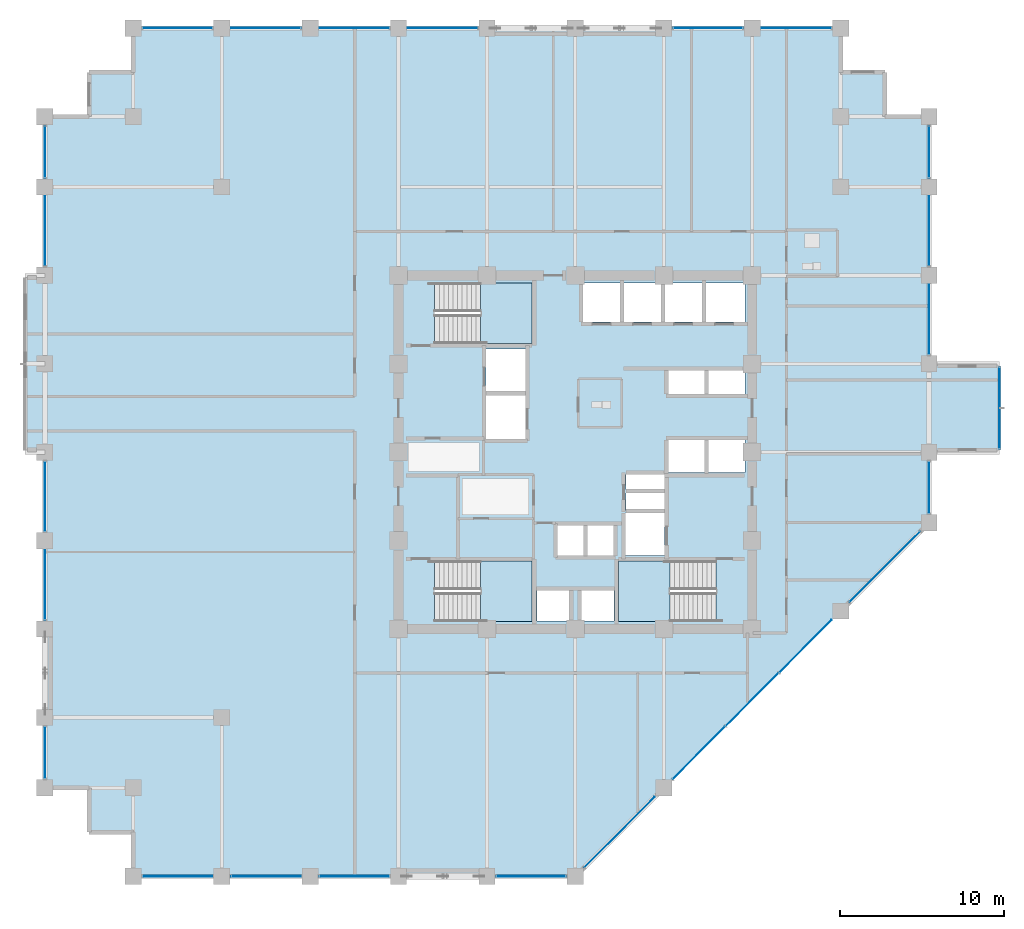
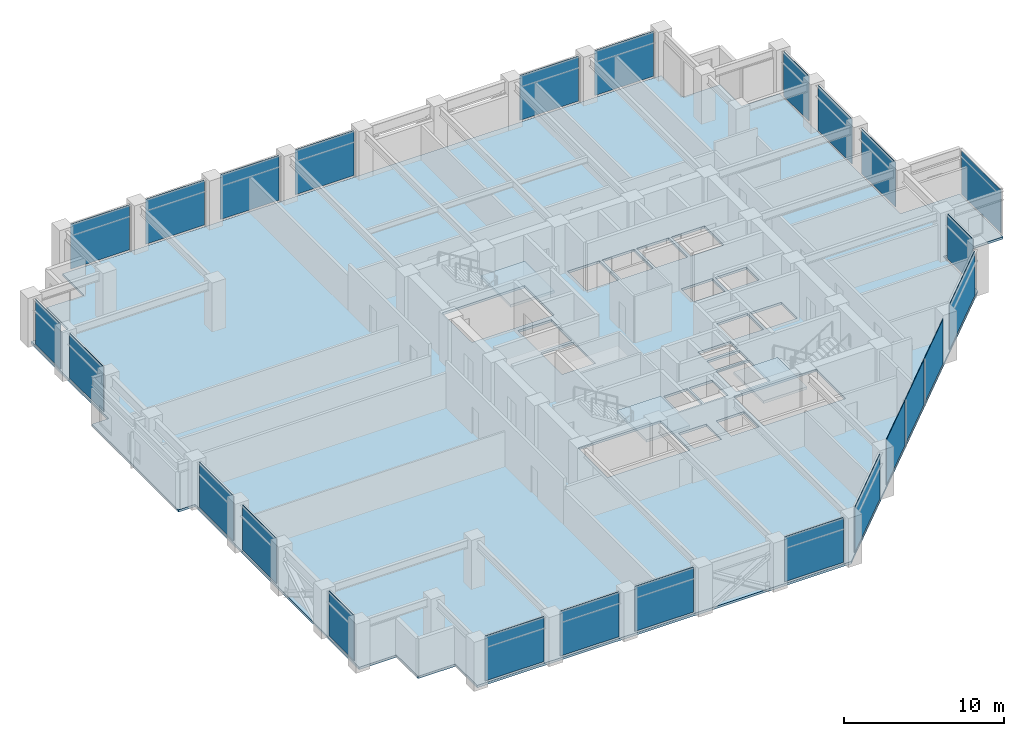
# One storey, part 18 of 26: 25 plates, 4 slabs, 14 elements without a shape of their own.
"""IFC4 building model written with IfcOpenShell, lengths in metres."""

from ifc_helpers import new_model, si_unit, direction, frame, frame_2d, origin, place, context, subcontext, project, spatial, polyline, rectangle, outline, extrude, material, layer, layer_set, type_object, element, aggregate, save


model = new_model("IFC4")

# Units and contexts
model_context = context("Model", 3, precision=1e-05, world=origin(), true_north=direction((0.0, 1.0)))
body_context = subcontext(model_context, "Body", "Model", "MODEL_VIEW")
ifc_project = project(units=[si_unit("LENGTHUNIT", "METRE"), si_unit("AREAUNIT", "SQUARE_METRE"), si_unit("VOLUMEUNIT", "CUBIC_METRE"), si_unit("PLANEANGLEUNIT", "RADIAN"), si_unit("MASSUNIT", "GRAM", prefix="KILO")], contexts=[model_context])

# Site, building, storey
site_placement = place(None, origin())
site = spatial("IfcSite", under=ifc_project, at=site_placement, CompositionType="ELEMENT")
building_placement = place(site_placement, origin())
building = spatial("IfcBuilding", under=site, at=building_placement, Name="Surkhivell Harbour Commons", CompositionType="ELEMENT")
storey_placement = place(building_placement, frame((0.0, 0.0, 147.0)))
storey = spatial("IfcBuildingStorey", under=building, at=storey_placement, Name="L38", CompositionType="ELEMENT", Elevation=147.0)

# Curtain wall, plate
ifc_material_1 = material(Name="Anodised pale-metal aluminium and insulated glazing", Category="aluminium")
ifc_layer_1 = layer(ifc_material_1, 0.1650390625)
ifc_layer_set_1 = layer_set([ifc_layer_1], Name="Anodised pale-metal aluminium and insulated glazing")
curtain_wall_type_1 = type_object("IfcCurtainWallType", Name="CW-SYS-BOX", PredefinedType="NOTDEFINED", material=ifc_layer_set_1)
curtain_wall_1_placement = place(storey_placement, origin())
curtain_wall_1 = element("IfcCurtainWall", 1, at=curtain_wall_1_placement, inside=storey, type_object=curtain_wall_type_1, Name="L38 Curtain Wall CW-L38-BOX01", PredefinedType="NOTDEFINED")
ifc_material_2 = material(Name="Triple-glazed bay-cluster vision glass", Category="glass")
ifc_layer_2 = layer(ifc_material_2, 0.028076171875)
ifc_layer_set_2 = layer_set([ifc_layer_2], Name="Triple-glazed bay-cluster vision glass")
plate_type_1 = type_object("IfcPlateType", Name="CWP-GLZ-28", PredefinedType="CURTAIN_PANEL", material=ifc_layer_set_2)
plate_1_placement = place(storey_placement, frame((25.89990234375, 0.219970703125, 0.1298828125), z_axis=(0.0, 0.0, 1.0), x_axis=(0.0, 1.0, 0.0)))
plate_1 = element("IfcPlate", 2, at=plate_1_placement, type_object=plate_type_1, Name="CW-BOX panel 1.1", PredefinedType="CURTAIN_PANEL", context=body_context, shape_type="SweptSolid", body=[
    extrude(rectangle(XDim=4.9599609375, YDim=0.028076171875, at=frame_2d((2.47998046875, 0.0))), origin(), (0.0, 0.0, 1.0), 3.31005859375),
])
aggregate(curtain_wall_1, [plate_1])

# Curtain wall, plates
ifc_layer_3 = layer(ifc_material_1, 0.205078125)
ifc_layer_set_3 = layer_set([ifc_layer_3], Name="Anodised pale-metal aluminium and insulated glazing")
curtain_wall_type_2 = type_object("IfcCurtainWallType", Name="CW-SYS-Z2", PredefinedType="NOTDEFINED", material=ifc_layer_set_3)
curtain_wall_2_placement = place(storey_placement, origin())
curtain_wall_2 = element("IfcCurtainWall", 3, at=curtain_wall_2_placement, inside=storey, type_object=curtain_wall_type_2, Name="L38 Curtain Wall CW-L38-E00S1", PredefinedType="NOTDEFINED")
ifc_material_3 = material(Name="High-pressure typhoon laminated vision glass", Category="glass")
ifc_layer_4 = layer(ifc_material_3, 0.035888671875)
ifc_layer_set_4 = layer_set([ifc_layer_4], Name="High-pressure typhoon laminated vision glass")
plate_type_2 = type_object("IfcPlateType", Name="CWP-GLZ-36", PredefinedType="CURTAIN_PANEL", material=ifc_layer_set_4)
plate_2_placement = place(storey_placement, frame((-26.423095703125, -25.89990234375, 0.14990234375), z_axis=(0.0, 0.0, 1.0), x_axis=(1.0, 0.0, 0.0)))
plate_2 = element("IfcPlate", 4, at=plate_2_placement, type_object=plate_type_2, Name="CW-Z2 panel 1.1", PredefinedType="CURTAIN_PANEL", context=body_context, shape_type="SweptSolid", body=[
    extrude(rectangle(XDim=4.24609375, YDim=0.035888671875, at=frame_2d((2.123046875, 0.0))), origin(), (0.0, 0.0, 1.0), 3.420166015625),
])
plate_3_placement = place(storey_placement, frame((-21.02294921875, -25.89990234375, 0.14990234375), z_axis=(0.0, 0.0, 1.0), x_axis=(1.0, 0.0, 0.0)))
plate_3 = element("IfcPlate", 5, at=plate_3_placement, type_object=plate_type_2, Name="CW-Z2 panel 2.1", PredefinedType="CURTAIN_PANEL", context=body_context, shape_type="SweptSolid", body=[
    extrude(rectangle(XDim=4.245849609375, YDim=0.035888671875, at=frame_2d((2.123046875, 0.0))), origin(), (0.0, 0.0, 1.0), 3.420166015625),
])
plate_4_placement = place(storey_placement, frame((-15.623046875, -25.89990234375, 0.14990234375), z_axis=(0.0, 0.0, 1.0), x_axis=(1.0, 0.0, 0.0)))
plate_4 = element("IfcPlate", 6, at=plate_4_placement, type_object=plate_type_2, Name="CW-Z2 panel 3.1", PredefinedType="CURTAIN_PANEL", context=body_context, shape_type="SweptSolid", body=[
    extrude(rectangle(XDim=4.24609375, YDim=0.035888671875, at=frame_2d((2.123046875, 0.0))), origin(), (0.0, 0.0, 1.0), 3.420166015625),
])
aggregate(curtain_wall_2, [plate_2, plate_3, plate_4])

# Curtain wall, plate
curtain_wall_3_placement = place(storey_placement, origin())
curtain_wall_3 = element("IfcCurtainWall", 7, at=curtain_wall_3_placement, inside=storey, type_object=curtain_wall_type_2, Name="L38 Curtain Wall CW-L38-E00S2", PredefinedType="NOTDEFINED")
plate_5_placement = place(storey_placement, frame((-4.822998046875, -25.89990234375, 0.14990234375), z_axis=(0.0, 0.0, 1.0), x_axis=(1.0, 0.0, 0.0)))
plate_5 = element("IfcPlate", 8, at=plate_5_placement, type_object=plate_type_2, Name="CW-Z2 panel 1.1", PredefinedType="CURTAIN_PANEL", context=body_context, shape_type="SweptSolid", body=[
    extrude(rectangle(XDim=4.24609375, YDim=0.035888671875, at=frame_2d((2.123046875, 0.0))), origin(), (0.0, 0.0, 1.0), 3.420166015625),
])
aggregate(curtain_wall_3, [plate_5])

# Curtain wall, plates
curtain_wall_4_placement = place(storey_placement, origin())
curtain_wall_4 = element("IfcCurtainWall", 9, at=curtain_wall_4_placement, inside=storey, type_object=curtain_wall_type_2, Name="L38 Curtain Wall CW-L38-E01", PredefinedType="NOTDEFINED")
plate_6_placement = place(storey_placement, frame((0.5546875, -25.34521484375, 0.14990234375), z_axis=(0.0, 0.0, 1.0), x_axis=(0.707106781187, 0.707106781187, 0.0)))
plate_6 = element("IfcPlate", 10, at=plate_6_placement, type_object=plate_type_2, Name="CW-Z2 panel 1.1", PredefinedType="CURTAIN_PANEL", context=body_context, shape_type="SweptSolid", body=[
    extrude(rectangle(XDim=6.067626953125, YDim=0.035888671875, at=frame_2d((3.03369140625, 0.0))), origin(), (0.0, 0.0, 1.0), 3.420166015625),
])
plate_7_placement = place(storey_placement, frame((5.954833984375, -19.9453125, 0.14990234375), z_axis=(0.0, 0.0, 1.0), x_axis=(0.707079687416, 0.707133873919, 0.0)))
plate_7 = element("IfcPlate", 11, at=plate_7_placement, type_object=plate_type_2, Name="CW-Z2 panel 2.1", PredefinedType="CURTAIN_PANEL", context=body_context, shape_type="SweptSolid", body=[
    extrude(rectangle(XDim=4.505615234375, YDim=0.035888671875, at=frame_2d((2.2529296875, 0.0))), origin(), (0.0, 0.0, 1.0), 3.420166015625),
])
plate_8_placement = place(storey_placement, frame((9.19384765625, -16.706298828125, 0.14990234375), z_axis=(0.0, 0.0, 1.0), x_axis=(0.707079911854, 0.707133649498, 0.0)))
plate_8 = element("IfcPlate", 12, at=plate_8_placement, type_object=plate_type_2, Name="CW-Z2 panel 3.1", PredefinedType="CURTAIN_PANEL", context=body_context, shape_type="SweptSolid", body=[
    extrude(rectangle(XDim=4.543212890625, YDim=0.035888671875, at=frame_2d((2.271484375, 0.0))), origin(), (0.0, 0.0, 1.0), 3.420166015625),
])
plate_9_placement = place(storey_placement, frame((12.459228515625, -13.440673828125, 0.14990234375), z_axis=(0.0, 0.0, 1.0), x_axis=(0.707106781187, 0.707106781187, 0.0)))
plate_9 = element("IfcPlate", 13, at=plate_9_placement, type_object=plate_type_2, Name="CW-Z2 panel 4.1", PredefinedType="CURTAIN_PANEL", context=body_context, shape_type="SweptSolid", body=[
    extrude(rectangle(XDim=4.505615234375, YDim=0.035888671875, at=frame_2d((2.2529296875, 0.0))), origin(), (0.0, 0.0, 1.0), 3.420166015625),
])
plate_10_placement = place(storey_placement, frame((16.754638671875, -9.145263671875, 0.14990234375), z_axis=(0.0, 0.0, 1.0), x_axis=(0.707106781187, 0.707106781187, 0.0)))
plate_10 = element("IfcPlate", 14, at=plate_10_placement, type_object=plate_type_2, Name="CW-Z2 panel 5.1", PredefinedType="CURTAIN_PANEL", context=body_context, shape_type="SweptSolid", body=[
    extrude(rectangle(XDim=6.067626953125, YDim=0.035888671875, at=frame_2d((3.03369140625, 0.0))), origin(), (0.0, 0.0, 1.0), 3.420166015625),
])
aggregate(curtain_wall_4, [plate_6, plate_7, plate_8, plate_9, plate_10])

# Curtain wall, plate
curtain_wall_5_placement = place(storey_placement, origin())
curtain_wall_5 = element("IfcCurtainWall", 15, at=curtain_wall_5_placement, inside=storey, type_object=curtain_wall_type_2, Name="L38 Curtain Wall CW-L38-E02R1", PredefinedType="NOTDEFINED")
plate_11_placement = place(storey_placement, frame((21.60009765625, -3.722900390625, 0.14990234375), z_axis=(0.0, 0.0, 1.0), x_axis=(0.0, 1.0, 0.0)))
plate_11 = element("IfcPlate", 16, at=plate_11_placement, type_object=plate_type_2, Name="CW-Z2 panel 1.1", PredefinedType="CURTAIN_PANEL", context=body_context, shape_type="SweptSolid", body=[
    extrude(rectangle(XDim=3.14599609375, YDim=0.035888671875, at=frame_2d((1.572998046875, 0.0))), origin(), (0.0, 0.0, 1.0), 3.420166015625),
])
aggregate(curtain_wall_5, [plate_11])

# Curtain wall, plates
curtain_wall_6_placement = place(storey_placement, origin())
curtain_wall_6 = element("IfcCurtainWall", 17, at=curtain_wall_6_placement, inside=storey, type_object=curtain_wall_type_2, Name="L38 Curtain Wall CW-L38-E02R2", PredefinedType="NOTDEFINED")
plate_12_placement = place(storey_placement, frame((21.60009765625, 5.97705078125, 0.14990234375), z_axis=(0.0, 0.0, 1.0), x_axis=(0.0, 1.0, 0.0)))
plate_12 = element("IfcPlate", 18, at=plate_12_placement, type_object=plate_type_2, Name="CW-Z2 panel 1.1", PredefinedType="CURTAIN_PANEL", context=body_context, shape_type="SweptSolid", body=[
    extrude(rectangle(XDim=4.245849609375, YDim=0.035888671875, at=frame_2d((2.123046875, 0.0))), origin(), (0.0, 0.0, 1.0), 3.420166015625),
])
plate_13_placement = place(storey_placement, frame((21.60009765625, 11.376953125, 0.14990234375), z_axis=(0.0, 0.0, 1.0), x_axis=(0.0, 1.0, 0.0)))
plate_13 = element("IfcPlate", 19, at=plate_13_placement, type_object=plate_type_2, Name="CW-Z2 panel 2.1", PredefinedType="CURTAIN_PANEL", context=body_context, shape_type="SweptSolid", body=[
    extrude(rectangle(XDim=4.24609375, YDim=0.035888671875, at=frame_2d((2.123046875, 0.0))), origin(), (0.0, 0.0, 1.0), 3.420166015625),
])
plate_14_placement = place(storey_placement, frame((21.60009765625, 16.777099609375, 0.14990234375), z_axis=(0.0, 0.0, 1.0), x_axis=(0.0, 1.0, 0.0)))
plate_14 = element("IfcPlate", 20, at=plate_14_placement, type_object=plate_type_2, Name="CW-Z2 panel 3.1", PredefinedType="CURTAIN_PANEL", context=body_context, shape_type="SweptSolid", body=[
    extrude(rectangle(XDim=3.14599609375, YDim=0.035888671875, at=frame_2d((1.572998046875, 0.0))), origin(), (0.0, 0.0, 1.0), 3.420166015625),
])
aggregate(curtain_wall_6, [plate_12, plate_13, plate_14])

curtain_wall_7_placement = place(storey_placement, origin())
curtain_wall_7 = element("IfcCurtainWall", 21, at=curtain_wall_7_placement, inside=storey, type_object=curtain_wall_type_2, Name="L38 Curtain Wall CW-L38-E07S1", PredefinedType="NOTDEFINED")
plate_15_placement = place(storey_placement, frame((15.623046875, 25.89990234375, 0.14990234375), z_axis=(0.0, 0.0, 1.0), x_axis=(-1.0, 0.0, 0.0)))
plate_15 = element("IfcPlate", 22, at=plate_15_placement, type_object=plate_type_2, Name="CW-Z2 panel 1.1", PredefinedType="CURTAIN_PANEL", context=body_context, shape_type="SweptSolid", body=[
    extrude(rectangle(XDim=4.24609375, YDim=0.035888671875, at=frame_2d((2.123046875, 0.0))), origin(), (0.0, 0.0, 1.0), 3.420166015625),
])
plate_16_placement = place(storey_placement, frame((10.222900390625, 25.89990234375, 0.14990234375), z_axis=(0.0, 0.0, 1.0), x_axis=(-1.0, 0.0, 0.0)))
plate_16 = element("IfcPlate", 23, at=plate_16_placement, type_object=plate_type_2, Name="CW-Z2 panel 2.1", PredefinedType="CURTAIN_PANEL", context=body_context, shape_type="SweptSolid", body=[
    extrude(rectangle(XDim=4.245849609375, YDim=0.035888671875, at=frame_2d((2.123046875, 0.0))), origin(), (0.0, 0.0, 1.0), 3.420166015625),
])
aggregate(curtain_wall_7, [plate_15, plate_16])

curtain_wall_8_placement = place(storey_placement, origin())
curtain_wall_8 = element("IfcCurtainWall", 24, at=curtain_wall_8_placement, inside=storey, type_object=curtain_wall_type_2, Name="L38 Curtain Wall CW-L38-E07S2", PredefinedType="NOTDEFINED")
plate_17_placement = place(storey_placement, frame((-5.97705078125, 25.89990234375, 0.14990234375), z_axis=(0.0, 0.0, 1.0), x_axis=(-1.0, 0.0, 0.0)))
plate_17 = element("IfcPlate", 25, at=plate_17_placement, type_object=plate_type_2, Name="CW-Z2 panel 1.1", PredefinedType="CURTAIN_PANEL", context=body_context, shape_type="SweptSolid", body=[
    extrude(rectangle(XDim=4.245849609375, YDim=0.035888671875, at=frame_2d((2.123046875, 0.0))), origin(), (0.0, 0.0, 1.0), 3.420166015625),
])
plate_18_placement = place(storey_placement, frame((-11.376953125, 25.89990234375, 0.14990234375), z_axis=(0.0, 0.0, 1.0), x_axis=(-1.0, 0.0, 0.0)))
plate_18 = element("IfcPlate", 26, at=plate_18_placement, type_object=plate_type_2, Name="CW-Z2 panel 2.1", PredefinedType="CURTAIN_PANEL", context=body_context, shape_type="SweptSolid", body=[
    extrude(rectangle(XDim=4.24609375, YDim=0.035888671875, at=frame_2d((2.123046875, 0.0))), origin(), (0.0, 0.0, 1.0), 3.420166015625),
])
plate_19_placement = place(storey_placement, frame((-16.777099609375, 25.89990234375, 0.14990234375), z_axis=(0.0, 0.0, 1.0), x_axis=(-1.0, 0.0, 0.0)))
plate_19 = element("IfcPlate", 27, at=plate_19_placement, type_object=plate_type_2, Name="CW-Z2 panel 3.1", PredefinedType="CURTAIN_PANEL", context=body_context, shape_type="SweptSolid", body=[
    extrude(rectangle(XDim=4.245849609375, YDim=0.035888671875, at=frame_2d((2.123046875, 0.0))), origin(), (0.0, 0.0, 1.0), 3.420166015625),
])
plate_20_placement = place(storey_placement, frame((-22.177001953125, 25.89990234375, 0.14990234375), z_axis=(0.0, 0.0, 1.0), x_axis=(-1.0, 0.0, 0.0)))
plate_20 = element("IfcPlate", 28, at=plate_20_placement, type_object=plate_type_2, Name="CW-Z2 panel 4.1", PredefinedType="CURTAIN_PANEL", context=body_context, shape_type="SweptSolid", body=[
    extrude(rectangle(XDim=4.24609375, YDim=0.035888671875, at=frame_2d((2.123046875, 0.0))), origin(), (0.0, 0.0, 1.0), 3.420166015625),
])
aggregate(curtain_wall_8, [plate_17, plate_18, plate_19, plate_20])

# Curtain wall, plate
curtain_wall_9_placement = place(storey_placement, origin())
curtain_wall_9 = element("IfcCurtainWall", 29, at=curtain_wall_9_placement, inside=storey, type_object=curtain_wall_type_2, Name="L38 Curtain Wall CW-L38-E12R1S1", PredefinedType="NOTDEFINED")
plate_21_placement = place(storey_placement, frame((-32.39990234375, -19.923095703125, 0.14990234375), z_axis=(0.0, 0.0, 1.0), x_axis=(0.0, 1.0, 0.0)))
plate_21 = element("IfcPlate", 30, at=plate_21_placement, type_object=plate_type_2, Name="CW-Z2 panel 1.1", PredefinedType="CURTAIN_PANEL", context=body_context, shape_type="SweptSolid", body=[
    extrude(rectangle(XDim=3.14599609375, YDim=0.035888671875, at=frame_2d((1.572998046875, 0.0))), origin(), (0.0, 0.0, 1.0), 3.420166015625),
])
aggregate(curtain_wall_9, [plate_21])

# Curtain wall, plates
curtain_wall_10_placement = place(storey_placement, origin())
curtain_wall_10 = element("IfcCurtainWall", 31, at=curtain_wall_10_placement, inside=storey, type_object=curtain_wall_type_2, Name="L38 Curtain Wall CW-L38-E12R1S2", PredefinedType="NOTDEFINED")
plate_22_placement = place(storey_placement, frame((-32.39990234375, -10.222900390625, 0.14990234375), z_axis=(0.0, 0.0, 1.0), x_axis=(0.0, 1.0, 0.0)))
plate_22 = element("IfcPlate", 32, at=plate_22_placement, type_object=plate_type_2, Name="CW-Z2 panel 1.1", PredefinedType="CURTAIN_PANEL", context=body_context, shape_type="SweptSolid", body=[
    extrude(rectangle(XDim=4.245849609375, YDim=0.035888671875, at=frame_2d((2.123046875, 0.0))), origin(), (0.0, 0.0, 1.0), 3.420166015625),
])
plate_23_placement = place(storey_placement, frame((-32.39990234375, -4.822998046875, 0.14990234375), z_axis=(0.0, 0.0, 1.0), x_axis=(0.0, 1.0, 0.0)))
plate_23 = element("IfcPlate", 33, at=plate_23_placement, type_object=plate_type_2, Name="CW-Z2 panel 2.1", PredefinedType="CURTAIN_PANEL", context=body_context, shape_type="SweptSolid", body=[
    extrude(rectangle(XDim=4.24609375, YDim=0.035888671875, at=frame_2d((2.123046875, 0.0))), origin(), (0.0, 0.0, 1.0), 3.420166015625),
])
aggregate(curtain_wall_10, [plate_22, plate_23])

curtain_wall_11_placement = place(storey_placement, origin())
curtain_wall_11 = element("IfcCurtainWall", 34, at=curtain_wall_11_placement, inside=storey, type_object=curtain_wall_type_2, Name="L38 Curtain Wall CW-L38-E12R2", PredefinedType="NOTDEFINED")
plate_24_placement = place(storey_placement, frame((-32.39990234375, 11.376953125, 0.14990234375), z_axis=(0.0, 0.0, 1.0), x_axis=(0.0, 1.0, 0.0)))
plate_24 = element("IfcPlate", 35, at=plate_24_placement, type_object=plate_type_2, Name="CW-Z2 panel 1.1", PredefinedType="CURTAIN_PANEL", context=body_context, shape_type="SweptSolid", body=[
    extrude(rectangle(XDim=4.24609375, YDim=0.035888671875, at=frame_2d((2.123046875, 0.0))), origin(), (0.0, 0.0, 1.0), 3.420166015625),
])
plate_25_placement = place(storey_placement, frame((-32.39990234375, 16.777099609375, 0.14990234375), z_axis=(0.0, 0.0, 1.0), x_axis=(0.0, 1.0, 0.0)))
plate_25 = element("IfcPlate", 36, at=plate_25_placement, type_object=plate_type_2, Name="CW-Z2 panel 2.1", PredefinedType="CURTAIN_PANEL", context=body_context, shape_type="SweptSolid", body=[
    extrude(rectangle(XDim=3.14599609375, YDim=0.035888671875, at=frame_2d((1.572998046875, 0.0))), origin(), (0.0, 0.0, 1.0), 3.420166015625),
])
aggregate(curtain_wall_11, [plate_24, plate_25])

# Stair, slab
ifc_material_4 = material(Name="Precast concrete C45/55", Category="concrete")
stair_type = type_object("IfcStairType", Name="STR-DL-375", PredefinedType="HALF_TURN_STAIR", material=ifc_material_4)
stair_1_placement = place(storey_placement, origin())
stair_1 = element("IfcStair", 37, at=stair_1_placement, inside=storey, type_object=stair_type, Name="L38 Core Exit Stair ST1", PredefinedType="HALF_TURN_STAIR")
ifc_material_5 = material(Name="Reinforced concrete C45/55", Category="concrete")
ifc_layer_5 = layer(ifc_material_5, 0.199951171875)
ifc_layer_set_5 = layer_set([ifc_layer_5], Name="Reinforced concrete C45/55")
slab_type_1 = type_object("IfcSlabType", Name="SLB-ST-LND200", PredefinedType="LANDING", material=ifc_layer_set_5)
slab_1_placement = place(storey_placement, frame((0.0, 0.0, 1.675048828125)))
slab_1 = element("IfcSlab", 38, at=slab_1_placement, type_object=slab_type_1, Name="ST1 landing 1", PredefinedType="LANDING", context=body_context, shape_type="SweptSolid", body=[
    extrude(outline(polyline([(-5.7900390625, 6.639892578125), (-2.639892578125, 6.639892578125), (-2.639892578125, 10.340087890625), (-5.7900390625, 10.340087890625), (-5.7900390625, 6.639892578125)])), origin(), (0.0, 0.0, 1.0), 0.199951171875),
])
aggregate(stair_1, [slab_1])

stair_2_placement = place(storey_placement, origin())
stair_2 = element("IfcStair", 39, at=stair_2_placement, inside=storey, type_object=stair_type, Name="L38 Core Exit Stair ST2", PredefinedType="HALF_TURN_STAIR")
slab_2_placement = place(storey_placement, frame((0.0, 0.0, 1.675048828125)))
slab_2 = element("IfcSlab", 40, at=slab_2_placement, type_object=slab_type_1, Name="ST2 landing 1", PredefinedType="LANDING", context=body_context, shape_type="SweptSolid", body=[
    extrude(outline(polyline([(5.7900390625, -6.639892578125), (2.639892578125, -6.639892578125), (2.639892578125, -10.340087890625), (5.7900390625, -10.340087890625), (5.7900390625, -6.639892578125)])), origin(), (0.0, 0.0, 1.0), 0.199951171875),
])
aggregate(stair_2, [slab_2])

stair_3_placement = place(storey_placement, origin())
stair_3 = element("IfcStair", 41, at=stair_3_placement, inside=storey, type_object=stair_type, Name="L38 Core Exit Stair ST3", PredefinedType="HALF_TURN_STAIR")
slab_3_placement = place(storey_placement, frame((0.0, 0.0, 1.675048828125)))
slab_3 = element("IfcSlab", 42, at=slab_3_placement, type_object=slab_type_1, Name="ST3 landing 1", PredefinedType="LANDING", context=body_context, shape_type="SweptSolid", body=[
    extrude(outline(polyline([(-5.7900390625, -10.340087890625), (-2.639892578125, -10.340087890625), (-2.639892578125, -6.639892578125), (-5.7900390625, -6.639892578125), (-5.7900390625, -10.340087890625)])), origin(), (0.0, 0.0, 1.0), 0.199951171875),
])
aggregate(stair_3, [slab_3])

# Slab
ifc_material_6 = material(Name="Concrete C45/55", Category="concrete")
ifc_layer_6 = layer(ifc_material_6, 0.179931640625)
ifc_layer_set_6 = layer_set([ifc_layer_6], Name="Concrete C45/55")
slab_type_2 = type_object("IfcSlabType", Name="SLB-TYP-180", PredefinedType="FLOOR", material=ifc_layer_set_6)
slab_4_placement = place(storey_placement, frame((0.0, 0.0, -0.179931640625)))
element("IfcSlab", 43, at=slab_4_placement, inside=storey, type_object=slab_type_2, Name="L38 Structural Floor Slab", PredefinedType="FLOOR", context=body_context, shape_type="SweptSolid", body=[
    extrude(outline(polyline([(-32.39990234375, 20.5), (-32.39990234375, 10.800048828125), (-33.60009765625, 10.800048828125), (-33.60009765625, 0.0), (-32.39990234375, 0.0), (-32.39990234375, -20.5), (-29.699951171875, -20.5), (-29.699951171875, -23.199951171875), (-27.0, -23.199951171875), (-27.0, -25.89990234375), (0.0, -25.89990234375), (21.60009765625, -4.300048828125), (21.60009765625, 0.0), (25.89990234375, 0.0), (25.89990234375, 5.39990234375), (21.60009765625, 5.39990234375), (21.60009765625, 20.5), (18.89990234375, 20.5), (18.89990234375, 23.199951171875), (16.199951171875, 23.199951171875), (16.199951171875, 25.89990234375), (-27.0, 25.89990234375), (-27.0, 23.199951171875), (-29.699951171875, 23.199951171875), (-29.699951171875, 20.5), (-32.39990234375, 20.5)]), holes=[polyline([(-8.590087890625, 6.639892578125), (-2.639892578125, 6.639892578125), (-2.639892578125, 10.340087890625), (-8.590087890625, 10.340087890625), (-8.590087890625, 6.639892578125)]), polyline([(8.590087890625, -6.639892578125), (2.639892578125, -6.639892578125), (2.639892578125, -10.340087890625), (8.590087890625, -10.340087890625), (8.590087890625, -6.639892578125)]), polyline([(-8.590087890625, -10.340087890625), (-2.639892578125, -10.340087890625), (-2.639892578125, -6.639892578125), (-8.590087890625, -6.639892578125), (-8.590087890625, -10.340087890625)]), polyline([(0.449951171875, 7.949951171875), (2.75, 7.949951171875), (2.75, 10.35009765625), (0.449951171875, 10.35009765625), (0.449951171875, 7.949951171875)]), polyline([(2.949951171875, 7.949951171875), (5.25, 7.949951171875), (5.25, 10.35009765625), (2.949951171875, 10.35009765625), (2.949951171875, 7.949951171875)]), polyline([(5.449951171875, 7.949951171875), (7.75, 7.949951171875), (7.75, 10.35009765625), (5.449951171875, 10.35009765625), (5.449951171875, 7.949951171875)]), polyline([(7.949951171875, 7.949951171875), (10.35009765625, 7.949951171875), (10.35009765625, 10.35009765625), (7.949951171875, 10.35009765625), (7.949951171875, 7.949951171875)]), polyline([(5.64990234375, 3.550048828125), (7.89990234375, 3.550048828125), (7.89990234375, 5.14990234375), (5.64990234375, 5.14990234375), (5.64990234375, 3.550048828125)]), polyline([(8.10009765625, 3.550048828125), (10.35009765625, 3.550048828125), (10.35009765625, 5.14990234375), (8.10009765625, 5.14990234375), (8.10009765625, 3.550048828125)]), polyline([(5.64990234375, -1.25), (7.89990234375, -1.25), (7.89990234375, 0.75), (5.64990234375, 0.75), (5.64990234375, -1.25)]), polyline([(8.10009765625, -1.25), (10.35009765625, -1.25), (10.35009765625, 0.75), (8.10009765625, 0.75), (8.10009765625, -1.25)]), polyline([(-1.14990234375, -6.35009765625), (0.550048828125, -6.35009765625), (0.550048828125, -4.449951171875), (-1.14990234375, -4.449951171875), (-1.14990234375, -6.35009765625)]), polyline([(0.679931640625, -6.35009765625), (2.3798828125, -6.35009765625), (2.3798828125, -4.449951171875), (0.679931640625, -4.449951171875), (0.679931640625, -6.35009765625)]), polyline([(-2.35009765625, -10.300048828125), (-0.35009765625, -10.300048828125), (-0.35009765625, -8.39990234375), (-2.35009765625, -8.39990234375), (-2.35009765625, -10.300048828125)]), polyline([(0.35009765625, -10.300048828125), (2.35009765625, -10.300048828125), (2.35009765625, -8.39990234375), (0.35009765625, -8.39990234375), (0.35009765625, -10.300048828125)]), polyline([(-5.449951171875, 3.699951171875), (-3.050048828125, 3.699951171875), (-3.050048828125, 6.300048828125), (-5.449951171875, 6.300048828125), (-5.449951171875, 3.699951171875)]), polyline([(3.050048828125, -6.300048828125), (5.449951171875, -6.300048828125), (5.449951171875, -3.699951171875), (3.050048828125, -3.699951171875), (3.050048828125, -6.300048828125)]), polyline([(-5.449951171875, 0.800048828125), (-3.050048828125, 0.800048828125), (-3.050048828125, 3.5), (-5.449951171875, 3.5), (-5.449951171875, 0.800048828125)]), polyline([(3.10009765625, -3.550048828125), (5.449951171875, -3.550048828125), (5.449951171875, -2.47998046875), (3.10009765625, -2.47998046875), (3.10009765625, -3.550048828125)]), polyline([(3.10009765625, -2.280029296875), (5.449951171875, -2.280029296875), (5.449951171875, -1.35009765625), (3.10009765625, -1.35009765625), (3.10009765625, -2.280029296875)])]), origin(), (0.0, 0.0, 1.0), 0.179931640625),
])

save(model, "model.ifc")
